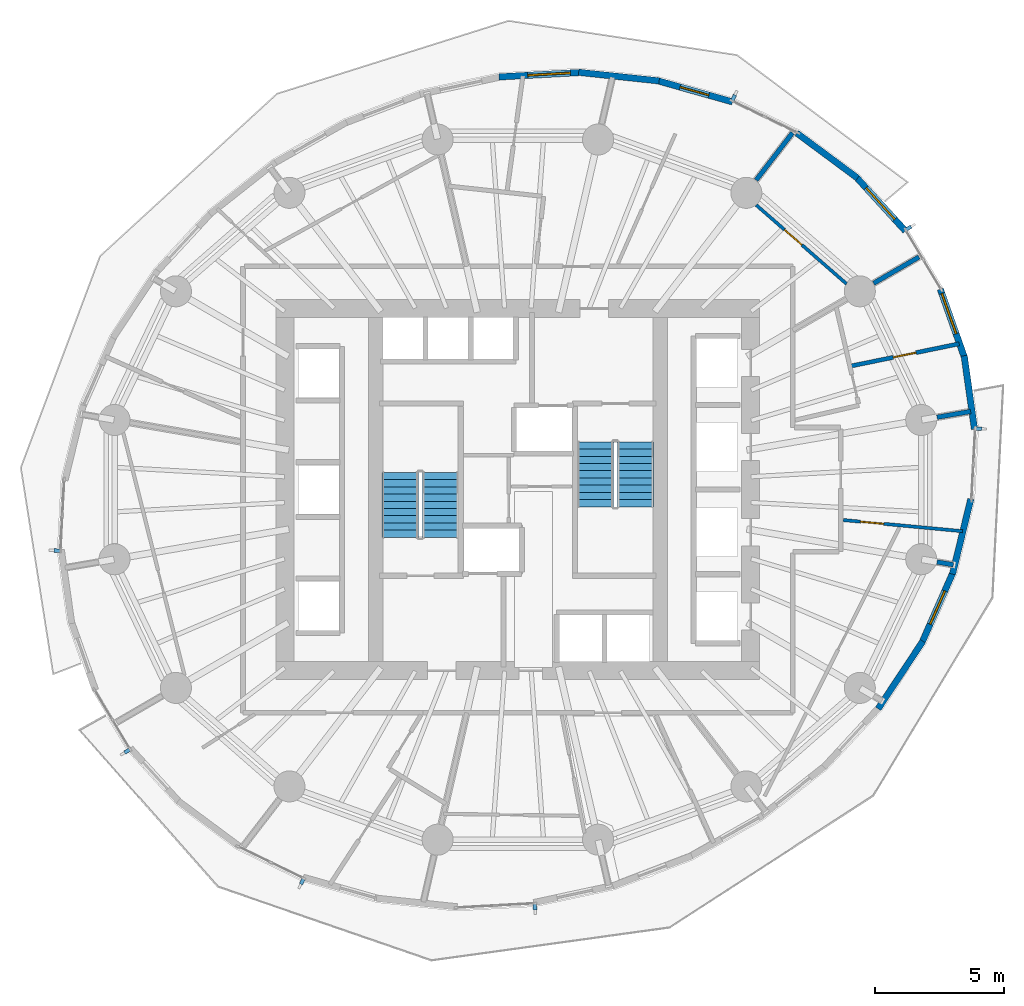
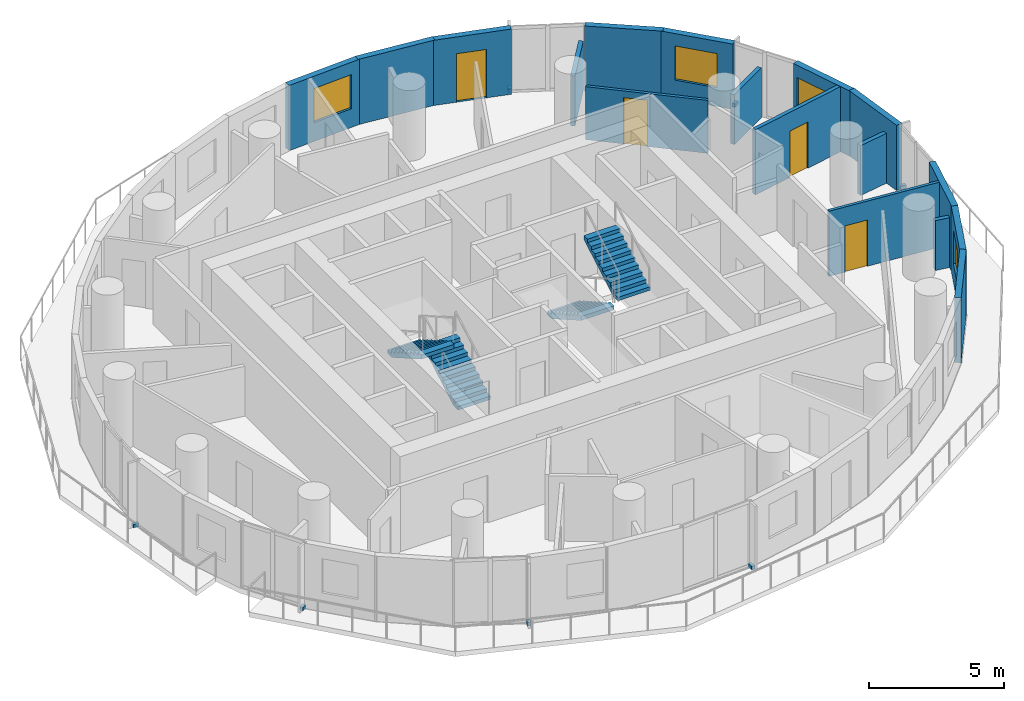
# One storey, part 10 of 15: 17 walls, 7 discrete accessories, 4 doors, 4 stair flights, 4 windows, 8 openings, 2 elements without a shape of their own.
"""IFC4 building model written with IfcOpenShell, lengths in metres."""

from ifc_helpers import new_model, si_unit, direction, frame, frame_2d, origin, origin_2d, place, context, subcontext, project, spatial, polyline, rectangle, outline, extrude, material, layer, layer_set, type_object, element, fill, aggregate, save


model = new_model("IFC4")

# Units and contexts
model_context = context("Model", 3, precision=1e-05, world=origin(), true_north=direction((0.0, 1.0)))
body_context = subcontext(model_context, "Body", "Model", "MODEL_VIEW")
ifc_project = project(units=[si_unit("LENGTHUNIT", "METRE"), si_unit("AREAUNIT", "SQUARE_METRE"), si_unit("VOLUMEUNIT", "CUBIC_METRE"), si_unit("PLANEANGLEUNIT", "RADIAN"), si_unit("MASSUNIT", "GRAM", prefix="KILO")], contexts=[model_context])

# Site, building, storey
site_placement = place(None, origin())
site = spatial("IfcSite", under=ifc_project, at=site_placement, CompositionType="ELEMENT")
building_placement = place(site_placement, origin())
building = spatial("IfcBuilding", under=site, at=building_placement, Name="Veldorim Arch Residences", CompositionType="ELEMENT")
storey_placement = place(building_placement, frame((0.0, 0.0, 102.8798828125)))
storey = spatial("IfcBuildingStorey", under=building, at=storey_placement, Name="L30", CompositionType="ELEMENT", Elevation=102.8798828125)

# Wall, opening, door
ifc_material_1 = material(Name="Acoustic Gypsum Board", Category="gypsum")
ifc_layer_1 = layer(ifc_material_1, 0.125, Name="Acoustic Stud Room Partition Wall 125")
ifc_layer_set_1 = layer_set([ifc_layer_1], Name="Acoustic Gypsum Board")
wall_type_1 = type_object("IfcWallType", Name="Acoustic Stud Room Partition Wall 125", PredefinedType="PARTITIONING", material=ifc_layer_set_1)
wall_1_placement = place(storey_placement, frame((49.19580078125, 22.39208984375, 0.0), z_axis=(0.0, 0.0, 1.0), x_axis=(-0.99565683003, 0.09309928472, 0.0)))
wall_1 = element("IfcWall", 1, at=wall_1_placement, inside=storey, type_object=wall_type_1, Name="L30 interior wall WL-RES-L30-017", PredefinedType="PARTITIONING", context=body_context, shape_type="SweptSolid", body=[
    extrude(rectangle(XDim=4.63623046875, YDim=0.125, at=frame_2d((2.318115234375, 0.0))), origin(), (0.0, 0.0, 1.0), 2.955078125),
])
opening_1_placement = place(wall_1_placement, frame((3.066162109375, 0.0, 0.0)))
opening_1 = element("IfcOpeningElement", 2, at=opening_1_placement, cuts=wall_1, Name="Opening DR-INT", PredefinedType="OPENING", context=body_context, shape_type="SweptSolid", body=[
    extrude(rectangle(XDim=0.89990234375, YDim=2.10009765625, at=frame_2d((0.449951171875, 1.050048828125))), frame((0.0, 0.072509765625, 0.0), z_axis=(0.0, -1.0, 0.0), x_axis=(1.0, 0.0, 0.0)), (0.0, 0.0, 1.0), 0.14501953125),
])
ifc_material_2 = material(Name="Engineered Timber", Category="wood")
door_type_1 = type_object("IfcDoorType", Name="Apartment Internal Room Timber Door 900x2100", OperationType="SINGLE_SWING_LEFT", PredefinedType="DOOR", material=ifc_material_2)
door_1_placement = place(opening_1_placement, origin())
door_1 = element("IfcDoor", 3, at=door_1_placement, inside=storey, type_object=door_type_1, Name="L30 interior door DR-RES-L30-007", OperationType="SINGLE_SWING_LEFT", OverallHeight=2.10009765625, OverallWidth=0.89990234375, PredefinedType="DOOR", context=body_context, shape_type="SweptSolid", body=[
    extrude(rectangle(XDim=0.89990234375, YDim=2.10009765625, at=frame_2d((0.449951171875, 1.050048828125))), frame((0.0, 0.02490234375, 0.0), z_axis=(0.0, -1.0, 0.0), x_axis=(1.0, 0.0, 0.0)), (0.0, 0.0, 1.0), 0.050048828125),
])
fill(opening_1, door_1)

wall_2_placement = place(storey_placement, frame((41.216064453125, 35.002685546875, 0.0), z_axis=(0.0, 0.0, 1.0), x_axis=(0.753372011099, -0.657594565741, 0.0)))
wall_2 = element("IfcWall", 4, at=wall_2_placement, inside=storey, type_object=wall_type_1, Name="L30 interior wall WL-RES-L30-027", PredefinedType="PARTITIONING", context=body_context, shape_type="SweptSolid", body=[
    extrude(rectangle(XDim=4.63671875, YDim=0.125, at=frame_2d((2.318359375, 0.0))), origin(), (0.0, 0.0, 1.0), 2.40380859375),
])
opening_2_placement = place(wall_2_placement, frame((1.4482421875, 0.0, 0.0)))
opening_2 = element("IfcOpeningElement", 5, at=opening_2_placement, cuts=wall_2, Name="Opening DR-INT", PredefinedType="OPENING", context=body_context, shape_type="SweptSolid", body=[
    extrude(rectangle(XDim=0.89990234375, YDim=2.10009765625, at=frame_2d((0.449951171875, 1.050048828125))), frame((0.0, 0.072509765625, 0.0), z_axis=(0.0, -1.0, 0.0), x_axis=(1.0, 0.0, 0.0)), (0.0, 0.0, 1.0), 0.14501953125),
])
door_2_placement = place(opening_2_placement, origin())
door_2 = element("IfcDoor", 6, at=door_2_placement, inside=storey, type_object=door_type_1, Name="L30 interior door DR-RES-L30-013", OperationType="SINGLE_SWING_LEFT", OverallHeight=2.10009765625, OverallWidth=0.89990234375, PredefinedType="DOOR", context=body_context, shape_type="SweptSolid", body=[
    extrude(rectangle(XDim=0.89990234375, YDim=2.10009765625, at=frame_2d((0.449951171875, 1.050048828125))), frame((0.0, 0.02490234375, 0.0), z_axis=(0.0, -1.0, 0.0), x_axis=(1.0, 0.0, 0.0)), (0.0, 0.0, 1.0), 0.050048828125),
])
fill(opening_2, door_2)

# Walls
ifc_material_3 = material(Name="Lightweight Masonry Block & Gypsum", Category="masonry")
ifc_layer_2 = layer(ifc_material_3, 0.179931640625, Name="Compartment & Corridor Fire-Rated Party Wall 180")
ifc_layer_set_2 = layer_set([ifc_layer_2], Name="Lightweight Masonry Block & Gypsum")
wall_type_2 = type_object("IfcWallType", Name="Compartment & Corridor Fire-Rated Party Wall 180", PredefinedType="PARTITIONING", material=ifc_layer_set_2)
wall_3_placement = place(storey_placement, frame((48.20556640625, 26.797607421875, 0.0), z_axis=(0.0, 0.0, 1.0), x_axis=(0.98541625201, 0.170161130326, 0.0)))
element("IfcWall", 7, at=wall_3_placement, inside=storey, type_object=wall_type_2, Name="L30 interior wall WL-PIER-L30-01", PredefinedType="PARTITIONING", context=body_context, shape_type="SweptSolid", body=[
    extrude(rectangle(XDim=1.318603515625, YDim=0.179931640625, at=frame_2d((0.6591796875, 0.0))), origin(), (0.0, 0.0, 1.0), 2.2607421875),
])
wall_4_placement = place(storey_placement, frame((45.756591796875, 31.977783203125, 0.0), z_axis=(0.0, 0.0, 1.0), x_axis=(0.865046864493, 0.501691062539, 0.0)))
element("IfcWall", 8, at=wall_4_placement, inside=storey, type_object=wall_type_2, Name="L30 interior wall WL-PIER-L30-02", PredefinedType="PARTITIONING", context=body_context, shape_type="SweptSolid", body=[
    extrude(rectangle(XDim=2.02783203125, YDim=0.179931640625, at=frame_2d((1.013916015625, 0.0))), origin(), (0.0, 0.0, 1.0), 2.2607421875),
])
wall_5_placement = place(storey_placement, frame((41.2119140625, 35.965576171875, 0.0), z_axis=(0.0, 0.0, 1.0), x_axis=(0.610007255548, 0.792395827967, 0.0)))
element("IfcWall", 9, at=wall_5_placement, inside=storey, type_object=wall_type_2, Name="L30 interior wall WL-PIER-L30-03", PredefinedType="PARTITIONING", context=body_context, shape_type="SweptSolid", body=[
    extrude(rectangle(XDim=2.3076171875, YDim=0.179931640625, at=frame_2d((1.15380859375, 0.0))), origin(), (0.0, 0.0, 1.0), 2.2607421875),
])
wall_6_placement = place(storey_placement, frame((48.20556640625, 21.202392578125, 0.0), z_axis=(0.0, 0.0, 1.0), x_axis=(0.985389793052, -0.170314285219, 0.0)))
element("IfcWall", 10, at=wall_6_placement, inside=storey, type_object=wall_type_2, Name="L30 interior wall WL-PIER-L30-16", PredefinedType="PARTITIONING", context=body_context, shape_type="SweptSolid", body=[
    extrude(rectangle(XDim=0.64208984375, YDim=0.179931640625, at=frame_2d((0.321044921875, 0.0))), origin(), (0.0, 0.0, 1.0), 2.2607421875),
])

# Wall, opening, window
ifc_material_4 = material(Name="Precast concrete C40/50", Category="concrete")
ifc_layer_3 = layer(ifc_material_4, 0.25, Name="Tower Terracotta Spandrel & Pier Wall 250")
ifc_layer_set_3 = layer_set([ifc_layer_3], Name="Precast concrete C40/50")
wall_type_3 = type_object("IfcWallType", Name="Tower Terracotta Spandrel & Pier Wall 250", PredefinedType="SOLIDWALL", material=ifc_layer_set_3)
wall_7_placement = place(storey_placement, frame((45.051025390625, 36.12060546875, 0.0), z_axis=(0.0, 0.0, 1.0), x_axis=(0.673691100196, -0.739013059098, 0.0)))
wall_7 = element("IfcWall", 11, at=wall_7_placement, inside=storey, type_object=wall_type_3, Name="L30 terracotta facade wall 02", PredefinedType="SOLIDWALL", context=body_context, shape_type="SweptSolid", body=[
    extrude(rectangle(XDim=2.8740234375, YDim=0.25, at=frame_2d((1.43701171875, 0.0))), origin(), (0.0, 0.0, 1.0), 2.960205078125),
])
opening_3_placement = place(wall_7_placement, frame((0.612060546875, 0.0, 0.85009765625)))
opening_3 = element("IfcOpeningElement", 12, at=opening_3_placement, cuts=wall_7, Name="Opening WN-03", PredefinedType="OPENING", context=body_context, shape_type="SweptSolid", body=[
    extrude(rectangle(XDim=1.64990234375, YDim=1.550048828125, at=frame_2d((0.824951171875, 0.77490234375))), frame((0.0, 0.135009765625, 0.0), z_axis=(0.0, -1.0, 0.0), x_axis=(1.0, 0.0, 0.0)), (0.0, 0.0, 1.0), 0.27001953125),
])
ifc_material_5 = material(Name="Laminated Low-E Glass", Category="glass")
window_type_1 = type_object("IfcWindowType", Name="Residential Wide Window 1650x1550", PartitioningType="SINGLE_PANEL", PredefinedType="WINDOW", material=ifc_material_5)
window_1_placement = place(opening_3_placement, origin())
window_1 = element("IfcWindow", 13, at=window_1_placement, inside=storey, type_object=window_type_1, Name="L30 solar-control facade window 02", OverallHeight=1.550048828125, OverallWidth=1.64990234375, PartitioningType="SINGLE_PANEL", PredefinedType="WINDOW", context=body_context, shape_type="SweptSolid", body=[
    extrude(rectangle(XDim=1.64990234375, YDim=1.550048828125, at=frame_2d((0.824951171875, 0.77490234375))), frame((0.0, 0.030029296875, 0.0), z_axis=(0.0, -1.0, 0.0), x_axis=(1.0, 0.0, 0.0)), (0.0, 0.0, 1.0), 0.06005859375),
])
fill(opening_3, window_1)

# Wall
wall_8_placement = place(storey_placement, frame((42.787353515625, 37.785400390625, 0.0), z_axis=(0.0, 0.0, 1.0), x_axis=(0.803255279066, -0.595634918933, 0.0)))
element("IfcWall", 14, at=wall_8_placement, inside=storey, type_object=wall_type_3, Name="L30 terracotta facade wall 03", PredefinedType="SOLIDWALL", context=body_context, shape_type="SweptSolid", body=[
    extrude(rectangle(XDim=2.92333984375, YDim=0.25, at=frame_2d((1.461669921875, 0.0))), origin(), (0.0, 0.0, 1.0), 2.960205078125),
])

# Wall, opening, door
wall_9_placement = place(storey_placement, frame((37.3544921875, 39.82470703125, 0.0), z_axis=(0.0, 0.0, 1.0), x_axis=(0.962391946781, -0.271664758059, 0.0)))
wall_9 = element("IfcWall", 15, at=wall_9_placement, inside=storey, type_object=wall_type_3, Name="L30 terracotta facade wall 05", PredefinedType="SOLIDWALL", context=body_context, shape_type="SweptSolid", body=[
    extrude(rectangle(XDim=3.06103515625, YDim=0.25, at=frame_2d((1.530517578125, 0.0))), origin(), (0.0, 0.0, 1.0), 2.960205078125),
])
opening_4_placement = place(wall_9_placement, frame((0.955078125, 0.0, 0.0)))
opening_4 = element("IfcOpeningElement", 16, at=opening_4_placement, cuts=wall_9, Name="Opening BL-DR", PredefinedType="OPENING", context=body_context, shape_type="SweptSolid", body=[
    extrude(rectangle(XDim=1.14990234375, YDim=2.199951171875, at=frame_2d((0.574951171875, 1.10009765625))), frame((0.0, 0.135009765625, 0.0), z_axis=(0.0, -1.0, 0.0), x_axis=(1.0, 0.0, 0.0)), (0.0, 0.0, 1.0), 0.27001953125),
])
ifc_material_6 = material(Name="Aluminium & Low-E Glass", Category="aluminium")
door_type_2 = type_object("IfcDoorType", Name="Glazed Planted Balcony Door 1150x2200", OperationType="SINGLE_SWING_LEFT", PredefinedType="DOOR", material=ifc_material_6)
door_3_placement = place(opening_4_placement, origin())
door_3 = element("IfcDoor", 17, at=door_3_placement, inside=storey, type_object=door_type_2, Name="L30 glazed outdoor terrace door BALC-1", OperationType="SINGLE_SWING_LEFT", OverallHeight=2.199951171875, OverallWidth=1.14990234375, PredefinedType="DOOR", context=body_context, shape_type="SweptSolid", body=[
    extrude(rectangle(XDim=1.14990234375, YDim=2.199951171875, at=frame_2d((0.574951171875, 1.10009765625))), frame((0.0, 0.02490234375, 0.0), z_axis=(0.0, -1.0, 0.0), x_axis=(1.0, 0.0, 0.0)), (0.0, 0.0, 1.0), 0.050048828125),
])
fill(opening_4, door_3)

# Wall
wall_10_placement = place(storey_placement, frame((34.349853515625, 40.135986328125, 0.0), z_axis=(0.0, 0.0, 1.0), x_axis=(0.994353607356, -0.106117404502, 0.0)))
element("IfcWall", 18, at=wall_10_placement, inside=storey, type_object=wall_type_3, Name="L30 terracotta facade wall 06", PredefinedType="SOLIDWALL", context=body_context, shape_type="SweptSolid", body=[
    extrude(rectangle(XDim=3.131103515625, YDim=0.25, at=frame_2d((1.5654296875, 0.0))), origin(), (0.0, 0.0, 1.0), 2.960205078125),
])

# Wall, opening, window
wall_11_placement = place(storey_placement, frame((31.272705078125, 39.957275390625, 0.0), z_axis=(0.0, 0.0, 1.0), x_axis=(0.998478187791, 0.055148059859, 0.0)))
wall_11 = element("IfcWall", 19, at=wall_11_placement, inside=storey, type_object=wall_type_3, Name="L30 terracotta facade wall 07", PredefinedType="SOLIDWALL", context=body_context, shape_type="SweptSolid", body=[
    extrude(rectangle(XDim=3.19189453125, YDim=0.25, at=frame_2d((1.595947265625, 0.0))), origin(), (0.0, 0.0, 1.0), 2.960205078125),
])
opening_5_placement = place(wall_11_placement, frame((1.112060546875, 0.0, 0.85009765625)))
opening_5 = element("IfcOpeningElement", 20, at=opening_5_placement, cuts=wall_11, Name="Opening WN-03", PredefinedType="OPENING", context=body_context, shape_type="SweptSolid", body=[
    extrude(rectangle(XDim=1.64990234375, YDim=1.550048828125, at=frame_2d((0.824951171875, 0.77490234375))), frame((0.0, 0.135009765625, 0.0), z_axis=(0.0, -1.0, 0.0), x_axis=(1.0, 0.0, 0.0)), (0.0, 0.0, 1.0), 0.27001953125),
])
window_2_placement = place(opening_5_placement, origin())
window_2 = element("IfcWindow", 21, at=window_2_placement, inside=storey, type_object=window_type_1, Name="L30 solar-control facade window 07", OverallHeight=1.550048828125, OverallWidth=1.64990234375, PartitioningType="SINGLE_PANEL", PredefinedType="WINDOW", context=body_context, shape_type="SweptSolid", body=[
    extrude(rectangle(XDim=1.64990234375, YDim=1.550048828125, at=frame_2d((0.824951171875, 0.77490234375))), frame((0.0, 0.030029296875, 0.0), z_axis=(0.0, -1.0, 0.0), x_axis=(1.0, 0.0, 0.0)), (0.0, 0.0, 1.0), 0.06005859375),
])
fill(opening_5, window_2)

# Wall
wall_12_placement = place(storey_placement, frame((47.659423828125, 18.135986328125, 0.0), z_axis=(0.0, 0.0, 1.0), x_axis=(-0.552034347266, -0.833821371421, 0.0)))
element("IfcWall", 22, at=wall_12_placement, inside=storey, type_object=wall_type_3, Name="L30 terracotta facade wall 31", PredefinedType="SOLIDWALL", context=body_context, shape_type="SweptSolid", body=[
    extrude(rectangle(XDim=3.131103515625, YDim=0.25, at=frame_2d((1.5654296875, 0.0))), origin(), (0.0, 0.0, 1.0), 2.960205078125),
])

# Wall, opening, window
wall_13_placement = place(storey_placement, frame((48.843017578125, 20.83837890625, 0.0), z_axis=(0.0, 0.0, 1.0), x_axis=(-0.404109525311, -0.914710605357, 0.0)))
wall_13 = element("IfcWall", 23, at=wall_13_placement, inside=storey, type_object=wall_type_3, Name="L30 terracotta facade wall 32", PredefinedType="SOLIDWALL", context=body_context, shape_type="SweptSolid", body=[
    extrude(rectangle(XDim=3.060546875, YDim=0.25, at=frame_2d((1.5302734375, 0.0))), origin(), (0.0, 0.0, 1.0), 2.960205078125),
])
opening_6_placement = place(wall_13_placement, frame((0.830078125, 0.0, 0.85009765625)))
opening_6 = element("IfcOpeningElement", 24, at=opening_6_placement, cuts=wall_13, Name="Opening WN-02", PredefinedType="OPENING", context=body_context, shape_type="SweptSolid", body=[
    extrude(rectangle(XDim=1.39990234375, YDim=1.550048828125, at=frame_2d((0.699951171875, 0.77490234375))), frame((0.0, 0.135009765625, 0.0), z_axis=(0.0, -1.0, 0.0), x_axis=(1.0, 0.0, 0.0)), (0.0, 0.0, 1.0), 0.27001953125),
])
ifc_material_7 = material(Name="Laminated Low-E Glass", Category="glass")
window_type_2 = type_object("IfcWindowType", Name="Residential Casement Window 1400x1550", PartitioningType="SINGLE_PANEL", PredefinedType="WINDOW", material=ifc_material_7)
window_3_placement = place(opening_6_placement, origin())
window_3 = element("IfcWindow", 25, at=window_3_placement, inside=storey, type_object=window_type_2, Name="L30 solar-control facade window 32", OverallHeight=1.550048828125, OverallWidth=1.39990234375, PartitioningType="SINGLE_PANEL", PredefinedType="WINDOW", context=body_context, shape_type="SweptSolid", body=[
    extrude(rectangle(XDim=1.39990234375, YDim=1.550048828125, at=frame_2d((0.699951171875, 0.77490234375))), frame((0.0, 0.030029296875, 0.0), z_axis=(0.0, -1.0, 0.0), x_axis=(1.0, 0.0, 0.0)), (0.0, 0.0, 1.0), 0.06005859375),
])
fill(opening_6, window_3)

# Walls
wall_14_placement = place(storey_placement, frame((49.514404296875, 23.63623046875, 0.0), z_axis=(0.0, 0.0, 1.0), x_axis=(-0.236668427837, -0.971590477138, 0.0)))
element("IfcWall", 26, at=wall_14_placement, inside=storey, type_object=wall_type_3, Name="L30 terracotta facade wall 33", PredefinedType="SOLIDWALL", context=body_context, shape_type="SweptSolid", body=[
    extrude(rectangle(XDim=2.988525390625, YDim=0.25, at=frame_2d((1.494140625, 0.0))), origin(), (0.0, 0.0, 1.0), 2.960205078125),
])
wall_15_placement = place(storey_placement, frame((49.255859375, 29.176025390625, 0.0), z_axis=(0.0, 0.0, 1.0), x_axis=(0.139982311006, -0.990154004489, 0.0)))
element("IfcWall", 27, at=wall_15_placement, inside=storey, type_object=wall_type_3, Name="L30 terracotta facade wall 35", PredefinedType="SOLIDWALL", context=body_context, shape_type="SweptSolid", body=[
    extrude(rectangle(XDim=2.874267578125, YDim=0.25, at=frame_2d((1.43701171875, 0.0))), origin(), (0.0, 0.0, 1.0), 2.960205078125),
])

# Wall, opening, window
wall_16_placement = place(storey_placement, frame((48.3349609375, 31.75, 0.0), z_axis=(0.0, 0.0, 1.0), x_axis=(0.332923265962, -0.942953921982, 0.0)))
wall_16 = element("IfcWall", 28, at=wall_16_placement, inside=storey, type_object=wall_type_3, Name="L30 terracotta facade wall 36", PredefinedType="SOLIDWALL", context=body_context, shape_type="SweptSolid", body=[
    extrude(rectangle(XDim=2.847412109375, YDim=0.25, at=frame_2d((1.423828125, 0.0))), origin(), (0.0, 0.0, 1.0), 2.960205078125),
])
opening_7_placement = place(wall_16_placement, frame((0.175048828125, 0.0, 0.85009765625)))
opening_7 = element("IfcOpeningElement", 29, at=opening_7_placement, cuts=wall_16, Name="Opening WN-03", PredefinedType="OPENING", context=body_context, shape_type="SweptSolid", body=[
    extrude(rectangle(XDim=1.64990234375, YDim=1.550048828125, at=frame_2d((0.824951171875, 0.77490234375))), frame((0.0, 0.135009765625, 0.0), z_axis=(0.0, -1.0, 0.0), x_axis=(1.0, 0.0, 0.0)), (0.0, 0.0, 1.0), 0.27001953125),
])
window_4_placement = place(opening_7_placement, origin())
window_4 = element("IfcWindow", 30, at=window_4_placement, inside=storey, type_object=window_type_1, Name="L30 solar-control facade window 36", OverallHeight=1.550048828125, OverallWidth=1.64990234375, PartitioningType="SINGLE_PANEL", PredefinedType="WINDOW", context=body_context, shape_type="SweptSolid", body=[
    extrude(rectangle(XDim=1.64990234375, YDim=1.550048828125, at=frame_2d((0.824951171875, 0.77490234375))), frame((0.0, 0.030029296875, 0.0), z_axis=(0.0, -1.0, 0.0), x_axis=(1.0, 0.0, 0.0)), (0.0, 0.0, 1.0), 0.06005859375),
])
fill(opening_7, window_4)

# Wall, opening, door
ifc_material_8 = material(Name="Moisture-Resistant Gypsum & Stud", Category="gypsum")
ifc_layer_4 = layer(ifc_material_8, 0.159912109375, Name="Wet-Area Moisture-Resistant Plumbing Wall 160")
ifc_layer_set_4 = layer_set([ifc_layer_4], Name="Moisture-Resistant Gypsum & Stud")
wall_type_4 = type_object("IfcWallType", Name="Wet-Area Moisture-Resistant Plumbing Wall 160", PredefinedType="PLUMBINGWALL", material=ifc_layer_set_4)
wall_17_placement = place(storey_placement, frame((44.837646484375, 28.769775390625, 0.0), z_axis=(0.0, 0.0, 1.0), x_axis=(0.97949547816, 0.201466146695, 0.0)))
wall_17 = element("IfcWall", 31, at=wall_17_placement, inside=storey, type_object=wall_type_4, Name="L30 interior wall WL-RES-L30-016", PredefinedType="PLUMBINGWALL", context=body_context, shape_type="SweptSolid", body=[
    extrude(rectangle(XDim=4.315185546875, YDim=0.159912109375, at=frame_2d((2.15771484375, 0.0))), origin(), (0.0, 0.0, 1.0), 2.955078125),
])
opening_8_placement = place(wall_17_placement, frame((1.70751953125, 0.0, 0.0)))
opening_8 = element("IfcOpeningElement", 32, at=opening_8_placement, cuts=wall_17, Name="Opening DR-WC", PredefinedType="OPENING", context=body_context, shape_type="SweptSolid", body=[
    extrude(rectangle(XDim=0.89990234375, YDim=2.10009765625, at=frame_2d((0.449951171875, 1.050048828125))), frame((0.0, 0.08984375, 0.0), z_axis=(0.0, -1.0, 0.0), x_axis=(1.0, 0.0, 0.0)), (0.0, 0.0, 1.0), 0.179931640625),
])
ifc_material_9 = material(Name="Laminate Timber", Category="wood")
door_type_3 = type_object("IfcDoorType", Name="Bathroom & Accessible WC Moisture-Sealed Door 900x2100", OperationType="SINGLE_SWING_LEFT", PredefinedType="DOOR", material=ifc_material_9)
door_4_placement = place(opening_8_placement, origin())
door_4 = element("IfcDoor", 33, at=door_4_placement, inside=storey, type_object=door_type_3, Name="L30 interior door DR-RES-L30-006", OperationType="SINGLE_SWING_RIGHT", OverallHeight=2.10009765625, OverallWidth=0.89990234375, PredefinedType="DOOR", context=body_context, shape_type="SweptSolid", body=[
    extrude(rectangle(XDim=0.89990234375, YDim=2.10009765625, at=frame_2d((0.449951171875, 1.050048828125))), frame((0.0, 0.02490234375, 0.0), z_axis=(0.0, -1.0, 0.0), x_axis=(1.0, 0.0, 0.0)), (0.0, 0.0, 1.0), 0.050048828125),
])
fill(opening_8, door_4)

# Stair, stair flights
ifc_material_10 = material(Name="Concrete C40/50", Category="concrete")
stair_type = type_object("IfcStairType", Name="Reinforced Concrete Dogleg Exit Staircase", PredefinedType="HALF_TURN_STAIR", material=ifc_material_10)
stair_1_placement = place(storey_placement, origin())
stair_1 = element("IfcStair", 34, at=stair_1_placement, inside=storey, type_object=stair_type, Name="L30 Exit Staircase ST-1", PredefinedType="HALF_TURN_STAIR")
ifc_material_11 = material(Name="Concrete C40/50", Category="concrete")
stair_flight_type = type_object("IfcStairFlightType", Name="Reinforced Concrete Stair Flight 1400", PredefinedType="STRAIGHT", material=ifc_material_11)
stair_flight_1_placement = place(storey_placement, frame((29.010009765625, 22.14990234375, 0.0), z_axis=(0.0, 0.0, 1.0), x_axis=(0.0, 1.0, 0.0)))
stair_flight_1 = element("IfcStairFlight", 35, at=stair_flight_1_placement, type_object=stair_flight_type, Name="ST-1 flight 1", NumberOfRisers=10, NumberOfTreads=9, PredefinedType="STRAIGHT", RiserHeight=0.16, TreadLength=0.28, context=body_context, shape_type="SweptSolid", body=[
    extrude(outline(polyline([(0.0, 0.0), (0.0, 0.159912109375), (0.280029296875, 0.159912109375), (0.280029296875, 0.320068359375), (0.56005859375, 0.320068359375), (0.56005859375, 0.47998046875), (0.840087890625, 0.47998046875), (0.840087890625, 0.639892578125), (1.1201171875, 0.639892578125), (1.1201171875, 0.800048828125), (1.39990234375, 0.800048828125), (1.39990234375, 0.9599609375), (1.679931640625, 0.9599609375), (1.679931640625, 1.1201171875), (1.9599609375, 1.1201171875), (1.9599609375, 1.280029296875), (2.239990234375, 1.280029296875), (2.239990234375, 1.43994140625), (2.52001953125, 1.43994140625), (2.52001953125, 1.60009765625), (2.52001953125, 1.255859375), (0.322265625, 0.0), (0.0, 0.0)])), frame((0.0, 0.699951171875, 0.0), z_axis=(0.0, -1.0, 0.0), x_axis=(1.0, 0.0, 0.0)), (0.0, 0.0, 1.0), 1.39990234375),
])
stair_flight_2_placement = place(storey_placement, frame((27.449951171875, 24.669921875, 1.60009765625), z_axis=(0.0, 0.0, 1.0), x_axis=(0.0, -1.0, 0.0)))
stair_flight_2 = element("IfcStairFlight", 36, at=stair_flight_2_placement, type_object=stair_flight_type, Name="ST-1 flight 2", NumberOfRisers=10, NumberOfTreads=9, PredefinedType="STRAIGHT", RiserHeight=0.16, TreadLength=0.28, context=body_context, shape_type="SweptSolid", body=[
    extrude(outline(polyline([(0.0, 0.0), (0.0, 0.159912109375), (0.280029296875, 0.159912109375), (0.280029296875, 0.320068359375), (0.56005859375, 0.320068359375), (0.56005859375, 0.47998046875), (0.840087890625, 0.47998046875), (0.840087890625, 0.639892578125), (1.1201171875, 0.639892578125), (1.1201171875, 0.800048828125), (1.39990234375, 0.800048828125), (1.39990234375, 0.9599609375), (1.679931640625, 0.9599609375), (1.679931640625, 1.1201171875), (1.9599609375, 1.1201171875), (1.9599609375, 1.280029296875), (2.239990234375, 1.280029296875), (2.239990234375, 1.43994140625), (2.52001953125, 1.43994140625), (2.52001953125, 1.60009765625), (2.52001953125, 1.255859375), (0.322265625, 0.0), (0.0, 0.0)])), frame((0.0, 0.699951171875, 0.0), z_axis=(0.0, -1.0, 0.0), x_axis=(1.0, 0.0, 0.0)), (0.0, 0.0, 1.0), 1.39990234375),
])
aggregate(stair_1, [stair_flight_1, stair_flight_2])

stair_2_placement = place(storey_placement, origin())
stair_2 = element("IfcStair", 37, at=stair_2_placement, inside=storey, type_object=stair_type, Name="L30 Exit Staircase ST-2", PredefinedType="HALF_TURN_STAIR")
stair_flight_3_placement = place(storey_placement, frame((34.989990234375, 25.85009765625, 0.0), z_axis=(0.0, 0.0, 1.0), x_axis=(0.0, -1.0, 0.0)))
stair_flight_3 = element("IfcStairFlight", 38, at=stair_flight_3_placement, type_object=stair_flight_type, Name="ST-2 flight 1", NumberOfRisers=10, NumberOfTreads=9, PredefinedType="STRAIGHT", RiserHeight=0.16, TreadLength=0.28, context=body_context, shape_type="SweptSolid", body=[
    extrude(outline(polyline([(0.0, 0.0), (0.0, 0.159912109375), (0.280029296875, 0.159912109375), (0.280029296875, 0.320068359375), (0.56005859375, 0.320068359375), (0.56005859375, 0.47998046875), (0.840087890625, 0.47998046875), (0.840087890625, 0.639892578125), (1.1201171875, 0.639892578125), (1.1201171875, 0.800048828125), (1.39990234375, 0.800048828125), (1.39990234375, 0.9599609375), (1.679931640625, 0.9599609375), (1.679931640625, 1.1201171875), (1.9599609375, 1.1201171875), (1.9599609375, 1.280029296875), (2.239990234375, 1.280029296875), (2.239990234375, 1.43994140625), (2.52001953125, 1.43994140625), (2.52001953125, 1.60009765625), (2.52001953125, 1.255859375), (0.322265625, 0.0), (0.0, 0.0)])), frame((0.0, 0.699951171875, 0.0), z_axis=(0.0, -1.0, 0.0), x_axis=(1.0, 0.0, 0.0)), (0.0, 0.0, 1.0), 1.39990234375),
])
stair_flight_4_placement = place(storey_placement, frame((36.550048828125, 23.330078125, 1.60009765625), z_axis=(0.0, 0.0, 1.0), x_axis=(0.0, 1.0, 0.0)))
stair_flight_4 = element("IfcStairFlight", 39, at=stair_flight_4_placement, type_object=stair_flight_type, Name="ST-2 flight 2", NumberOfRisers=10, NumberOfTreads=9, PredefinedType="STRAIGHT", RiserHeight=0.16, TreadLength=0.28, context=body_context, shape_type="SweptSolid", body=[
    extrude(outline(polyline([(0.0, 0.0), (0.0, 0.159912109375), (0.280029296875, 0.159912109375), (0.280029296875, 0.320068359375), (0.56005859375, 0.320068359375), (0.56005859375, 0.47998046875), (0.840087890625, 0.47998046875), (0.840087890625, 0.639892578125), (1.1201171875, 0.639892578125), (1.1201171875, 0.800048828125), (1.39990234375, 0.800048828125), (1.39990234375, 0.9599609375), (1.679931640625, 0.9599609375), (1.679931640625, 1.1201171875), (1.9599609375, 1.1201171875), (1.9599609375, 1.280029296875), (2.239990234375, 1.280029296875), (2.239990234375, 1.43994140625), (2.52001953125, 1.43994140625), (2.52001953125, 1.60009765625), (2.52001953125, 1.255859375), (0.322265625, 0.0), (0.0, 0.0)])), frame((0.0, 0.699951171875, 0.0), z_axis=(0.0, -1.0, 0.0), x_axis=(1.0, 0.0, 0.0)), (0.0, 0.0, 1.0), 1.39990234375),
])
aggregate(stair_2, [stair_flight_3, stair_flight_4])

# Discrete accessories
ifc_material_12 = material(Name="Stainless Steel", Category="steel")
discrete_accessory_type = type_object("IfcDiscreteAccessoryType", Name="Stainless Steel Facade Fin Anchor Bracket", PredefinedType="BRACKET", material=ifc_material_12)
for number, where, z_axis, x_axis, name in (
    (40, (47.1025390625, 34.10791015625, -0.02001953125), (0.0, 0.0, 1.0), (0.514439533782, -0.857526656194, 0.0), "L30 stainless fin anchor bracket 01"),
    (41, (40.338623046875, 39.149658203125, -0.02001953125), (0.0, 0.0, 1.0), (0.899481528961, -0.436958784165, 0.0), "L30 stainless fin anchor bracket 04"),
    (42, (14.18359375, 21.642578125, -0.02001953125), (0.0, 0.0, 1.0), (0.053033118368, 0.998592754007, 0.0), "L30 stainless fin anchor bracket 16"),
    (43, (16.8974609375, 13.89208984375, -0.02001953125), (0.0, 0.0, 1.0), (-0.514439533782, 0.857526656194, 0.0), "L30 stainless fin anchor bracket 19"),
    (44, (23.661376953125, 8.850341796875, -0.02001953125), (0.0, 0.0, 1.0), (-0.899481528961, 0.436958784165, 0.0), "L30 stainless fin anchor bracket 22"),
    (45, (32.6591796875, 7.871337890625, -0.02001953125), (0.0, 0.0, 1.0), (-0.998479491627, -0.055124448298, 0.0), "L30 stainless fin anchor bracket 25"),
    (46, (49.81640625, 26.357421875, -0.02001953125), (0.0, 0.0, 1.0), (-0.053033118368, -0.998592754007, 0.0), "L30 stainless fin anchor bracket 34"),
):
    element("IfcDiscreteAccessory", number, at=place(storey_placement, frame(where, z_axis=z_axis, x_axis=x_axis)), inside=storey, type_object=discrete_accessory_type, Name=name, PredefinedType="BRACKET", context=body_context, shape_type="SweptSolid", body=[
        extrude(rectangle(XDim=0.139892578125, YDim=0.239990234375, at=origin_2d()), origin(), (0.0, 0.0, 1.0), 0.159912109375),
    ])

save(model, "model.ifc")
